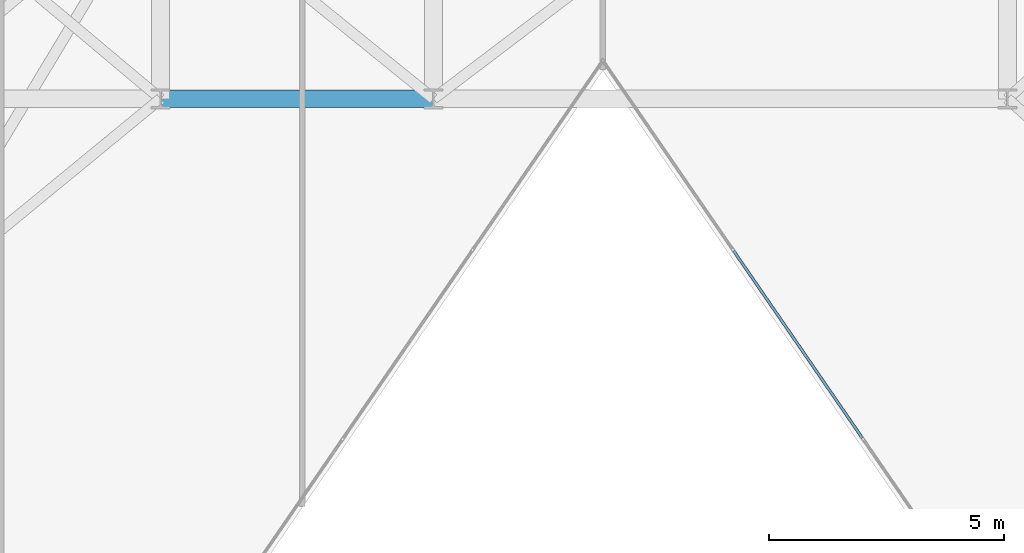
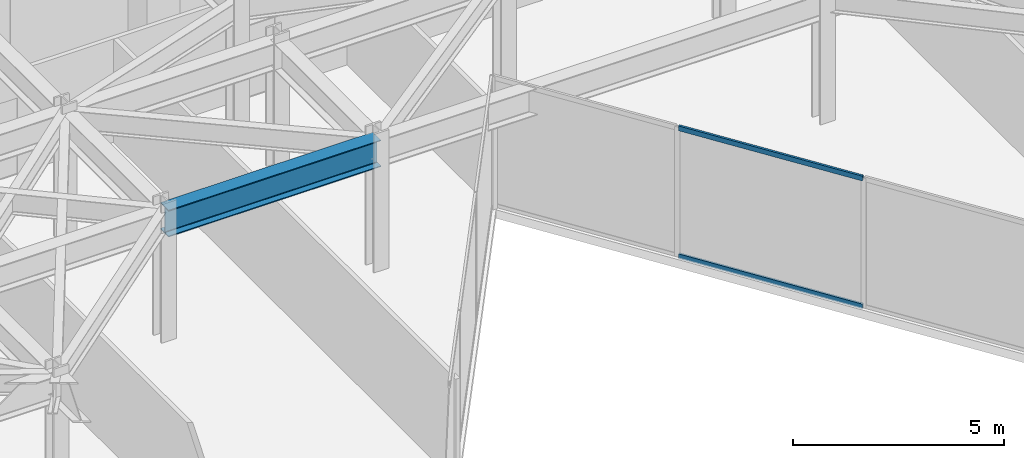
# One storey, part 7 of 27: 2 members, 1 beam, 1 element without a shape of its own.
"""IFC4 building model written with IfcOpenShell, lengths in metres."""

from ifc_helpers import new_model, si_unit, direction, frame, origin, origin_2d, place, context, subcontext, project, spatial, hollow_rectangle, i_section, extrude, material, layer, layer_set, material_profile, profile_set, type_object, element, aggregate, save


model = new_model("IFC4")

# Units and contexts
model_context = context("Model", 3, precision=1e-05, world=origin(), true_north=direction((0.0, 1.0)))
body_context = subcontext(model_context, "Body", "Model", "MODEL_VIEW")
ifc_project = project(units=[si_unit("LENGTHUNIT", "METRE"), si_unit("AREAUNIT", "SQUARE_METRE"), si_unit("VOLUMEUNIT", "CUBIC_METRE"), si_unit("PLANEANGLEUNIT", "RADIAN"), si_unit("MASSUNIT", "GRAM", prefix="KILO")], contexts=[model_context])

# Site, building, storey
site_placement = place(None, origin())
site = spatial("IfcSite", under=ifc_project, at=site_placement, CompositionType="ELEMENT")
building_placement = place(site_placement, origin())
building = spatial("IfcBuilding", under=site, at=building_placement, Name="Kravanh Interchange Tower", CompositionType="ELEMENT")
storey_placement = place(building_placement, frame((0.0, 0.0, 164.5)))
storey = spatial("IfcBuildingStorey", under=building, at=storey_placement, Name="L39", CompositionType="ELEMENT", Elevation=164.5)

# Curtain wall, members
ifc_material_1 = material(Name="Anodised Bronze Aluminium", Category="aluminium")
ifc_layer = layer(ifc_material_1, 0.179931640625)
ifc_layer_set = layer_set([ifc_layer], Name="Unitised Curtain Wall System CW-Z3 Upper Office")
curtain_wall_type = type_object("IfcCurtainWallType", Name="Unitised Curtain Wall System CW-Z3 Upper Office", PredefinedType="NOTDEFINED", material=ifc_layer_set)
curtain_wall_placement = place(storey_placement, origin())
curtain_wall = element("IfcCurtainWall", 1, at=curtain_wall_placement, inside=storey, type_object=curtain_wall_type, Name="L39 Unitised Curtain Wall CW-L39-04", PredefinedType="NOTDEFINED")
ifc_material_2 = material(Name="Anodised Bronze Aluminium", Category="aluminium")
ifc_material_profile_1 = material_profile(ifc_material_2, hollow_rectangle(XDim=0.06005859375, YDim=0.139892578125, WallThickness=0.00390625, at=origin_2d()), Name="ALU60X140X4")
ifc_profile_set_1 = profile_set([ifc_material_profile_1], Name="Anodised Bronze Aluminium")
member_type = type_object("IfcMemberType", Name="Curtain Wall Transom ALU60X140X4 Bronze", PredefinedType="USERDEFINED", material=ifc_profile_set_1)
member_1_placement = place(storey_placement, frame((47.714599609375, 19.590576171875, 0.030029296875), z_axis=(-0.566537417683, 0.824036015211, 0.0), x_axis=(-0.824036015211, -0.566537417683, 0.0)))
member_1 = element("IfcMember", 2, at=member_1_placement, type_object=member_type, Name="CW-Z3 transom 3.1", ObjectType="TRANSOM", PredefinedType="USERDEFINED", context=body_context, shape_type="SweptSolid", body=[
    extrude(hollow_rectangle(XDim=0.06005859375, YDim=0.139892578125, WallThickness=0.00390625, at=origin_2d()), origin(), (0.0, 0.0, 1.0), 4.822265625),
])
member_2_placement = place(storey_placement, frame((47.714599609375, 19.590576171875, 3.72509765625), z_axis=(-0.566537417683, 0.824036015211, 0.0), x_axis=(-0.824036015211, -0.566537417683, 0.0)))
member_2 = element("IfcMember", 3, at=member_2_placement, type_object=member_type, Name="CW-Z3 transom 3.2", ObjectType="TRANSOM", PredefinedType="USERDEFINED", context=body_context, shape_type="SweptSolid", body=[
    extrude(hollow_rectangle(XDim=0.06005859375, YDim=0.139892578125, WallThickness=0.00390625, at=origin_2d()), origin(), (0.0, 0.0, 1.0), 4.822265625),
])
aggregate(curtain_wall, [member_1, member_2])

# Beam
ifc_material_3 = material(Name="Structural Steel S355", Category="steel")
ifc_material_profile_2 = material_profile(ifc_material_3, i_section(OverallWidth=0.381103515625, OverallDepth=0.77294921875, WebThickness=0.0166015625, FlangeThickness=0.027099609375, FilletRadius=0.02490234375, at=origin_2d()), Name="W30X173")
ifc_profile_set_2 = profile_set([ifc_material_profile_2], Name="Structural Steel S355")
beam_type = type_object("IfcBeamType", Name="Floor Beam W30X173 Structural Steel S355", PredefinedType="BEAM", material=ifc_profile_set_2)
beam_placement = place(storey_placement, frame((32.800048828125, 26.800048828125, 3.368408203125), z_axis=(1.0, 0.0, 0.0), x_axis=(0.0, 1.0, 0.0)))
element("IfcBeam", 4, at=beam_placement, inside=storey, type_object=beam_type, Name="L39 Primary Floor Girder 42", PredefinedType="BEAM", context=body_context, shape_type="SweptSolid", body=[
    extrude(i_section(OverallWidth=0.381103515625, OverallDepth=0.77294921875, WebThickness=0.0166015625, FlangeThickness=0.027099609375, FilletRadius=0.02490234375, at=origin_2d()), origin(), (0.0, 0.0, 1.0), 5.800048828125),
])

save(model, "model.ifc")
